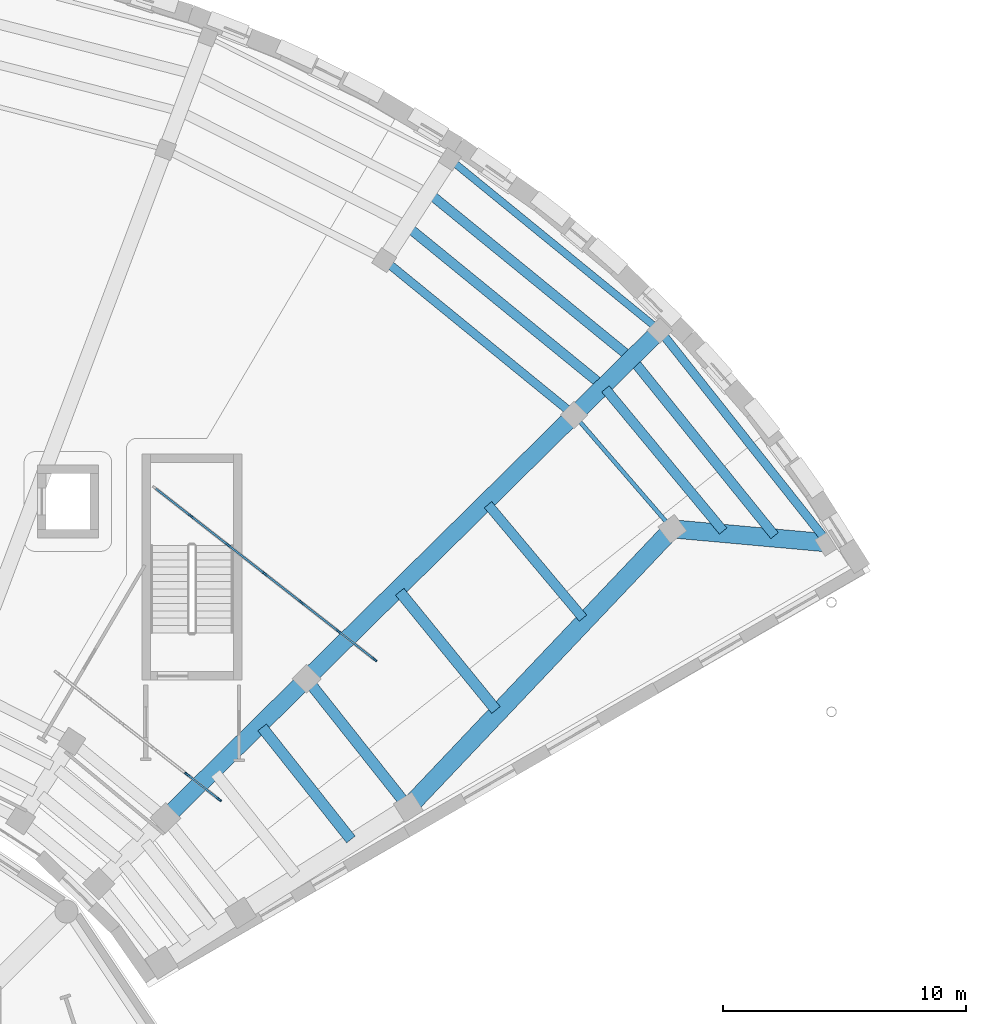
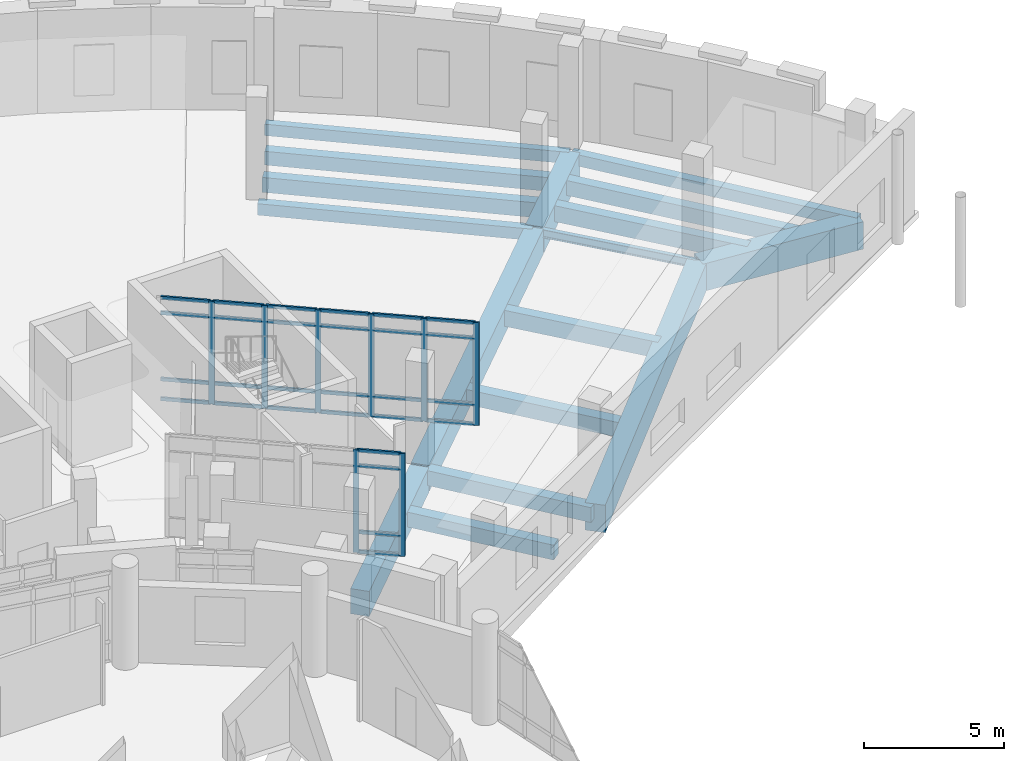
# One storey, part 35 of 89: 36 members, 17 beams, 2 elements without a shape of their own.
"""IFC4 building model written with IfcOpenShell, lengths in metres."""

from ifc_helpers import new_model, si_unit, direction, frame, origin, origin_2d, place, context, subcontext, project, spatial, rectangle, i_section, extrude, material, material_profile, profile_set, type_object, element, aggregate, save


model = new_model("IFC4")

# Units and contexts
model_context = context("Model", 3, precision=1e-05, world=origin(), true_north=direction((0.0, 1.0)))
body_context = subcontext(model_context, "Body", "Model", "MODEL_VIEW")
ifc_project = project(units=[si_unit("LENGTHUNIT", "METRE"), si_unit("AREAUNIT", "SQUARE_METRE"), si_unit("VOLUMEUNIT", "CUBIC_METRE"), si_unit("PLANEANGLEUNIT", "RADIAN"), si_unit("MASSUNIT", "GRAM", prefix="KILO")], contexts=[model_context])

# Site, building, storey
site_placement = place(None, origin())
site = spatial("IfcSite", under=ifc_project, at=site_placement, CompositionType="ELEMENT")
building_placement = place(site_placement, origin())
building = spatial("IfcBuilding", under=site, at=building_placement, Name="Soyqirgoq Riverine Aquarium", CompositionType="ELEMENT")
storey_placement = place(building_placement, frame((0.0, 0.0, 5.39990234375)))
storey = spatial("IfcBuildingStorey", under=building, at=storey_placement, Name="L02", CompositionType="ELEMENT", Elevation=5.39990234375)

# Beams
ifc_material_1 = material(Name="Concrete C40/50", Category="concrete")
ifc_material_profile_1 = material_profile(ifc_material_1, rectangle(XDim=0.39990234375, YDim=0.60009765625, at=origin_2d()), Name="RC 400x600")
ifc_profile_set_1 = profile_set([ifc_material_profile_1], Name="Concrete C40/50")
beam_type_1 = type_object("IfcBeamType", Name="Beam_RC_400x600", PredefinedType="JOIST", material=ifc_profile_set_1)
beam_1_placement = place(storey_placement, frame((91.468994140625, 92.172607421875, -0.599853515625), z_axis=(-0.774945538771, 0.632028015153, 0.0), x_axis=(-0.632028015153, -0.774945538771, 0.0)))
element("IfcBeam", 1, at=beam_1_placement, inside=storey, type_object=beam_type_1, Name="V5 L02 Secondary Floor Joist 0841", PredefinedType="JOIST", context=body_context, shape_type="SweptSolid", body=[
    extrude(rectangle(XDim=0.39990234375, YDim=0.60009765625, at=origin_2d()), origin(), (0.0, 0.0, 1.0), 10.5126953125),
])
ifc_material_2 = material(Name="Concrete C40/50", Category="concrete")
ifc_material_profile_2 = material_profile(ifc_material_2, rectangle(XDim=0.39990234375, YDim=0.64990234375, at=origin_2d()), Name="RC 400x650")
ifc_profile_set_2 = profile_set([ifc_material_profile_2], Name="Concrete C40/50")
beam_type_2 = type_object("IfcBeamType", Name="Beam_RC_400x650", PredefinedType="BEAM", material=ifc_profile_set_2)
beam_2_placement = place(storey_placement, frame((97.461181640625, 84.796142578125, -0.625), z_axis=(-0.628173876328, 0.778072992141, 0.0), x_axis=(-0.778072992141, -0.628173876328, 0.0)))
element("IfcBeam", 2, at=beam_2_placement, inside=storey, type_object=beam_type_2, Name="V5 L02 Secondary Floor Joist 0839", PredefinedType="BEAM", context=body_context, shape_type="SweptSolid", body=[
    extrude(rectangle(XDim=0.39990234375, YDim=0.64990234375, at=origin_2d()), origin(), (0.0, 0.0, 1.0), 9.2265625),
])
beam_3_placement = place(storey_placement, frame((90.305908203125, 91.025634765625, -0.625), z_axis=(-0.774940282325, 0.63203446016, 0.0), x_axis=(-0.63203446016, -0.774940282325, 0.0)))
element("IfcBeam", 3, at=beam_3_placement, inside=storey, type_object=beam_type_2, Name="V5 L02 Secondary Floor Joist 0840", PredefinedType="BEAM", context=body_context, shape_type="SweptSolid", body=[
    extrude(rectangle(XDim=0.39990234375, YDim=0.64990234375, at=origin_2d()), origin(), (0.0, 0.0, 1.0), 10.159912109375),
])
ifc_material_3 = material(Name="Concrete C40/50", Category="concrete")
ifc_material_profile_3 = material_profile(ifc_material_3, rectangle(XDim=0.39990234375, YDim=0.699951171875, at=origin_2d()), Name="RC 400x700")
ifc_profile_set_3 = profile_set([ifc_material_profile_3], Name="Concrete C40/50")
beam_type_3 = type_object("IfcBeamType", Name="Beam_RC_400x700", PredefinedType="BEAM", material=ifc_profile_set_3)
beam_4_placement = place(storey_placement, frame((89.584228515625, 81.40380859375, -0.64990234375), z_axis=(-0.642269554069, 0.766478845055, 0.0), x_axis=(-0.766478845055, -0.642269554069, 0.0)))
element("IfcBeam", 4, at=beam_4_placement, inside=storey, type_object=beam_type_3, Name="V5 L02 Secondary Floor Joist 0833", PredefinedType="BEAM", context=body_context, shape_type="SweptSolid", body=[
    extrude(rectangle(XDim=0.39990234375, YDim=0.699951171875, at=origin_2d()), origin(), (0.0, 0.0, 1.0), 6.08544921875),
])
beam_5_placement = place(storey_placement, frame((95.345458984375, 84.98583984375, -0.64990234375), z_axis=(-0.638020589805, 0.770019302995, 0.0), x_axis=(-0.770019302995, -0.638020589805, 0.0)))
element("IfcBeam", 5, at=beam_5_placement, inside=storey, type_object=beam_type_3, Name="V5 L02 Secondary Floor Joist 0838", PredefinedType="BEAM", context=body_context, shape_type="SweptSolid", body=[
    extrude(rectangle(XDim=0.39990234375, YDim=0.699951171875, at=origin_2d()), origin(), (0.0, 0.0, 1.0), 7.5888671875),
])
ifc_material_4 = material(Name="Concrete C40/50", Category="concrete")
ifc_material_profile_4 = material_profile(ifc_material_4, rectangle(XDim=0.449951171875, YDim=0.64990234375, at=origin_2d()), Name="RC 450x650")
ifc_profile_set_4 = profile_set([ifc_material_profile_4], Name="Concrete C40/50")
beam_type_4 = type_object("IfcBeamType", Name="Beam_RC_450x650", PredefinedType="BEAM", material=ifc_profile_set_4)
beam_6_placement = place(storey_placement, frame((80.038330078125, 72.30224609375, -0.625), z_axis=(-0.621137956327, 0.783701243593, 0.0), x_axis=(-0.783701243593, -0.621137956327, 0.0)))
element("IfcBeam", 6, at=beam_6_placement, inside=storey, type_object=beam_type_4, Name="V5 L02 Secondary Floor Joist 0830", PredefinedType="BEAM", context=body_context, shape_type="SweptSolid", body=[
    extrude(rectangle(XDim=0.449951171875, YDim=0.64990234375, at=origin_2d()), origin(), (0.0, 0.0, 1.0), 5.878173828125),
])
beam_7_placement = place(storey_placement, frame((82.3701171875, 73.664794921875, -0.625), z_axis=(-0.621132353324, 0.783705684332, 0.0), x_axis=(-0.783705684332, -0.621132353324, 0.0)))
element("IfcBeam", 7, at=beam_7_placement, inside=storey, type_object=beam_type_4, Name="V5 L02 Wedge Chord Beam 0831", PredefinedType="BEAM", context=body_context, shape_type="SweptSolid", body=[
    extrude(rectangle(XDim=0.449951171875, YDim=0.64990234375, at=origin_2d()), origin(), (0.0, 0.0, 1.0), 6.63916015625),
])
beam_8_placement = place(storey_placement, frame((86.00341796875, 77.626953125, -0.625), z_axis=(-0.631614001709, 0.775283014676, 0.0), x_axis=(-0.775283014676, -0.631614001709, 0.0)))
element("IfcBeam", 8, at=beam_8_placement, inside=storey, type_object=beam_type_4, Name="V5 L02 Secondary Floor Joist 0832", PredefinedType="BEAM", context=body_context, shape_type="SweptSolid", body=[
    extrude(rectangle(XDim=0.449951171875, YDim=0.64990234375, at=origin_2d()), origin(), (0.0, 0.0, 1.0), 6.268798828125),
])

# Curtain wall, members
ifc_material_5 = material(Name="Cast polymethyl methacrylate PMMA Habitat Viewing Glazing", Category="glass")
curtain_wall_type = type_object("IfcCurtainWallType", Name="CW_Interior_TankVitrine", PredefinedType="NOTDEFINED", material=ifc_material_5)
curtain_wall_1_placement = place(storey_placement, origin())
curtain_wall_1 = element("IfcCurtainWall", 9, at=curtain_wall_1_placement, inside=storey, type_object=curtain_wall_type, Name="V5 L02 Curtain Wall 159", PredefinedType="NOTDEFINED")
ifc_material_6 = material(Name="Anodised aluminium 6063-T6", Category="aluminium")
ifc_material_profile_5 = material_profile(ifc_material_6, rectangle(XDim=0.080078125, YDim=0.219970703125, at=origin_2d()), Name="ALU-M 80x220")
ifc_profile_set_5 = profile_set([ifc_material_profile_5], Name="Anodised aluminium 6063-T6")
member_type_1 = type_object("IfcMemberType", Name="CWMullion_80x220", PredefinedType="MULLION", material=ifc_profile_set_5)
member_1_placement = place(storey_placement, frame((74.616943359375, 73.9482421875, 0.0), z_axis=(0.0, 0.0, 1.0), x_axis=(-0.615661060826, -0.788011077449, 0.0)))
member_1 = element("IfcMember", 10, at=member_1_placement, type_object=member_type_1, Name="CW-07 mullion 1", PredefinedType="MULLION", context=body_context, shape_type="SweptSolid", body=[
    extrude(rectangle(XDim=0.080078125, YDim=0.219970703125, at=origin_2d()), origin(), (0.0, 0.0, 1.0), 4.5),
])
member_2_placement = place(storey_placement, frame((73.300537109375, 74.976806640625, 0.0), z_axis=(0.0, 0.0, 1.0), x_axis=(-0.615661060826, -0.788011077449, 0.0)))
member_2 = element("IfcMember", 11, at=member_2_placement, type_object=member_type_1, Name="CW-07 mullion 2", PredefinedType="MULLION", context=body_context, shape_type="SweptSolid", body=[
    extrude(rectangle(XDim=0.080078125, YDim=0.219970703125, at=origin_2d()), origin(), (0.0, 0.0, 1.0), 4.5),
])

curtain_wall_2_placement = place(storey_placement, origin())
curtain_wall_2 = element("IfcCurtainWall", 12, at=curtain_wall_2_placement, inside=storey, type_object=curtain_wall_type, Name="V5 L02 Curtain Wall 160", PredefinedType="NOTDEFINED")
member_3_placement = place(storey_placement, frame((81.008056640625, 79.702880859375, 0.0), z_axis=(0.0, 0.0, 1.0), x_axis=(-0.615655141832, -0.788015701833, 0.0)))
member_3 = element("IfcMember", 13, at=member_3_placement, type_object=member_type_1, Name="CW-07 mullion 1", PredefinedType="MULLION", context=body_context, shape_type="SweptSolid", body=[
    extrude(rectangle(XDim=0.080078125, YDim=0.219970703125, at=origin_2d()), origin(), (0.0, 0.0, 1.0), 4.5),
])
member_4_placement = place(storey_placement, frame((79.524169921875, 80.862060546875, 0.0), z_axis=(0.0, 0.0, 1.0), x_axis=(-0.615655141832, -0.788015701833, 0.0)))
member_4 = element("IfcMember", 14, at=member_4_placement, type_object=member_type_1, Name="CW-07 mullion 2", PredefinedType="MULLION", context=body_context, shape_type="SweptSolid", body=[
    extrude(rectangle(XDim=0.080078125, YDim=0.219970703125, at=origin_2d()), origin(), (0.0, 0.0, 1.0), 4.5),
])
member_5_placement = place(storey_placement, frame((78.008544921875, 82.046142578125, 0.0), z_axis=(0.0, 0.0, 1.0), x_axis=(-0.615655141832, -0.788015701833, 0.0)))
member_5 = element("IfcMember", 15, at=member_5_placement, type_object=member_type_1, Name="CW-07 mullion 3", PredefinedType="MULLION", context=body_context, shape_type="SweptSolid", body=[
    extrude(rectangle(XDim=0.080078125, YDim=0.219970703125, at=origin_2d()), origin(), (0.0, 0.0, 1.0), 4.5),
])
member_6_placement = place(storey_placement, frame((76.4931640625, 83.22998046875, 0.0), z_axis=(0.0, 0.0, 1.0), x_axis=(-0.615655141832, -0.788015701833, 0.0)))
member_6 = element("IfcMember", 16, at=member_6_placement, type_object=member_type_1, Name="CW-07 mullion 4", PredefinedType="MULLION", context=body_context, shape_type="SweptSolid", body=[
    extrude(rectangle(XDim=0.080078125, YDim=0.219970703125, at=origin_2d()), origin(), (0.0, 0.0, 1.0), 4.5),
])
member_7_placement = place(storey_placement, frame((74.977783203125, 84.4140625, 0.0), z_axis=(0.0, 0.0, 1.0), x_axis=(-0.615655141832, -0.788015701833, 0.0)))
member_7 = element("IfcMember", 17, at=member_7_placement, type_object=member_type_1, Name="CW-07 mullion 5", PredefinedType="MULLION", context=body_context, shape_type="SweptSolid", body=[
    extrude(rectangle(XDim=0.080078125, YDim=0.219970703125, at=origin_2d()), origin(), (0.0, 0.0, 1.0), 4.5),
])
member_8_placement = place(storey_placement, frame((73.46240234375, 85.59814453125, 0.0), z_axis=(0.0, 0.0, 1.0), x_axis=(-0.615655141832, -0.788015701833, 0.0)))
member_8 = element("IfcMember", 18, at=member_8_placement, type_object=member_type_1, Name="CW-07 mullion 6", PredefinedType="MULLION", context=body_context, shape_type="SweptSolid", body=[
    extrude(rectangle(XDim=0.080078125, YDim=0.219970703125, at=origin_2d()), origin(), (0.0, 0.0, 1.0), 4.5),
])

# Member
ifc_material_7 = material(Name="Anodised aluminium 6063-T6", Category="aluminium")
ifc_material_profile_6 = material_profile(ifc_material_7, rectangle(XDim=0.074951171875, YDim=0.14990234375, at=origin_2d()), Name="ALU-T 75x150")
ifc_profile_set_6 = profile_set([ifc_material_profile_6], Name="Anodised aluminium 6063-T6")
member_type_2 = type_object("IfcMemberType", Name="CWTransom_75x150", PredefinedType="USERDEFINED", material=ifc_profile_set_6)
member_9_placement = place(storey_placement, frame((74.58544921875, 73.972900390625, 0.03759765625), z_axis=(-0.788019719657, 0.615649999132, 0.0), x_axis=(-0.615649999132, -0.788019719657, 0.0)))
member_9 = element("IfcMember", 19, at=member_9_placement, type_object=member_type_2, Name="CW-07 transom 1.1", ObjectType="TRANSOM", PredefinedType="USERDEFINED", context=body_context, shape_type="SweptSolid", body=[
    extrude(rectangle(XDim=0.074951171875, YDim=0.14990234375, at=origin_2d()), origin(), (0.0, 0.0, 1.0), 1.590576171875),
])

member_10_placement = place(storey_placement, frame((74.58544921875, 73.972900390625, 0.900146484375), z_axis=(-0.788019719657, 0.615649999132, 0.0), x_axis=(-0.615649999132, -0.788019719657, 0.0)))
member_10 = element("IfcMember", 20, at=member_10_placement, type_object=member_type_2, Name="CW-07 transom 1.2", ObjectType="TRANSOM", PredefinedType="USERDEFINED", context=body_context, shape_type="SweptSolid", body=[
    extrude(rectangle(XDim=0.074951171875, YDim=0.14990234375, at=origin_2d()), origin(), (0.0, 0.0, 1.0), 1.590576171875),
])

member_11_placement = place(storey_placement, frame((74.58544921875, 73.972900390625, 3.800048828125), z_axis=(-0.788019719657, 0.615649999132, 0.0), x_axis=(-0.615649999132, -0.788019719657, 0.0)))
member_11 = element("IfcMember", 21, at=member_11_placement, type_object=member_type_2, Name="CW-07 transom 1.3", ObjectType="TRANSOM", PredefinedType="USERDEFINED", context=body_context, shape_type="SweptSolid", body=[
    extrude(rectangle(XDim=0.074951171875, YDim=0.14990234375, at=origin_2d()), origin(), (0.0, 0.0, 1.0), 1.590576171875),
])

member_12_placement = place(storey_placement, frame((74.58544921875, 73.972900390625, 4.462646484375), z_axis=(-0.788019719657, 0.615649999132, 0.0), x_axis=(-0.615649999132, -0.788019719657, 0.0)))
member_12 = element("IfcMember", 22, at=member_12_placement, type_object=member_type_2, Name="CW-07 transom 1.4", ObjectType="TRANSOM", PredefinedType="USERDEFINED", context=body_context, shape_type="SweptSolid", body=[
    extrude(rectangle(XDim=0.074951171875, YDim=0.14990234375, at=origin_2d()), origin(), (0.0, 0.0, 1.0), 1.590576171875),
])

aggregate(curtain_wall_1, [member_1, member_2, member_9, member_10, member_11, member_12])

member_13_placement = place(storey_placement, frame((80.9765625, 79.7275390625, 0.03759765625), z_axis=(-0.788016162741, 0.615654551887, 0.0), x_axis=(-0.615654551887, -0.788016162741, 0.0)))
member_13 = element("IfcMember", 23, at=member_13_placement, type_object=member_type_2, Name="CW-07 transom 1.1", ObjectType="TRANSOM", PredefinedType="USERDEFINED", context=body_context, shape_type="SweptSolid", body=[
    extrude(rectangle(XDim=0.074951171875, YDim=0.14990234375, at=origin_2d()), origin(), (0.0, 0.0, 1.0), 1.80322265625),
])

member_14_placement = place(storey_placement, frame((80.9765625, 79.7275390625, 0.900146484375), z_axis=(-0.788016162741, 0.615654551887, 0.0), x_axis=(-0.615654551887, -0.788016162741, 0.0)))
member_14 = element("IfcMember", 24, at=member_14_placement, type_object=member_type_2, Name="CW-07 transom 1.2", ObjectType="TRANSOM", PredefinedType="USERDEFINED", context=body_context, shape_type="SweptSolid", body=[
    extrude(rectangle(XDim=0.074951171875, YDim=0.14990234375, at=origin_2d()), origin(), (0.0, 0.0, 1.0), 1.80322265625),
])

member_15_placement = place(storey_placement, frame((80.9765625, 79.7275390625, 3.800048828125), z_axis=(-0.788016162741, 0.615654551887, 0.0), x_axis=(-0.615654551887, -0.788016162741, 0.0)))
member_15 = element("IfcMember", 25, at=member_15_placement, type_object=member_type_2, Name="CW-07 transom 1.3", ObjectType="TRANSOM", PredefinedType="USERDEFINED", context=body_context, shape_type="SweptSolid", body=[
    extrude(rectangle(XDim=0.074951171875, YDim=0.14990234375, at=origin_2d()), origin(), (0.0, 0.0, 1.0), 1.80322265625),
])

member_16_placement = place(storey_placement, frame((80.9765625, 79.7275390625, 4.462646484375), z_axis=(-0.788016162741, 0.615654551887, 0.0), x_axis=(-0.615654551887, -0.788016162741, 0.0)))
member_16 = element("IfcMember", 26, at=member_16_placement, type_object=member_type_2, Name="CW-07 transom 1.4", ObjectType="TRANSOM", PredefinedType="USERDEFINED", context=body_context, shape_type="SweptSolid", body=[
    extrude(rectangle(XDim=0.074951171875, YDim=0.14990234375, at=origin_2d()), origin(), (0.0, 0.0, 1.0), 1.80322265625),
])

member_17_placement = place(storey_placement, frame((79.492431640625, 80.88671875, 0.03759765625), z_axis=(-0.788002283226, 0.615672316765, 0.0), x_axis=(-0.615672316765, -0.788002283226, 0.0)))
member_17 = element("IfcMember", 27, at=member_17_placement, type_object=member_type_2, Name="CW-07 transom 2.1", ObjectType="TRANSOM", PredefinedType="USERDEFINED", context=body_context, shape_type="SweptSolid", body=[
    extrude(rectangle(XDim=0.074951171875, YDim=0.14990234375, at=origin_2d()), origin(), (0.0, 0.0, 1.0), 1.843017578125),
])

member_18_placement = place(storey_placement, frame((79.492431640625, 80.88671875, 0.900146484375), z_axis=(-0.788002283226, 0.615672316765, 0.0), x_axis=(-0.615672316765, -0.788002283226, 0.0)))
member_18 = element("IfcMember", 28, at=member_18_placement, type_object=member_type_2, Name="CW-07 transom 2.2", ObjectType="TRANSOM", PredefinedType="USERDEFINED", context=body_context, shape_type="SweptSolid", body=[
    extrude(rectangle(XDim=0.074951171875, YDim=0.14990234375, at=origin_2d()), origin(), (0.0, 0.0, 1.0), 1.843017578125),
])

member_19_placement = place(storey_placement, frame((79.492431640625, 80.88671875, 3.800048828125), z_axis=(-0.788002283226, 0.615672316765, 0.0), x_axis=(-0.615672316765, -0.788002283226, 0.0)))
member_19 = element("IfcMember", 29, at=member_19_placement, type_object=member_type_2, Name="CW-07 transom 2.3", ObjectType="TRANSOM", PredefinedType="USERDEFINED", context=body_context, shape_type="SweptSolid", body=[
    extrude(rectangle(XDim=0.074951171875, YDim=0.14990234375, at=origin_2d()), origin(), (0.0, 0.0, 1.0), 1.843017578125),
])

member_20_placement = place(storey_placement, frame((79.492431640625, 80.88671875, 4.462646484375), z_axis=(-0.788002283226, 0.615672316765, 0.0), x_axis=(-0.615672316765, -0.788002283226, 0.0)))
member_20 = element("IfcMember", 30, at=member_20_placement, type_object=member_type_2, Name="CW-07 transom 2.4", ObjectType="TRANSOM", PredefinedType="USERDEFINED", context=body_context, shape_type="SweptSolid", body=[
    extrude(rectangle(XDim=0.074951171875, YDim=0.14990234375, at=origin_2d()), origin(), (0.0, 0.0, 1.0), 1.843017578125),
])

member_21_placement = place(storey_placement, frame((77.97705078125, 82.07080078125, 0.03759765625), z_axis=(-0.788002283226, 0.615672316765, 0.0), x_axis=(-0.615672316765, -0.788002283226, 0.0)))
member_21 = element("IfcMember", 31, at=member_21_placement, type_object=member_type_2, Name="CW-07 transom 3.1", ObjectType="TRANSOM", PredefinedType="USERDEFINED", context=body_context, shape_type="SweptSolid", body=[
    extrude(rectangle(XDim=0.074951171875, YDim=0.14990234375, at=origin_2d()), origin(), (0.0, 0.0, 1.0), 1.843017578125),
])

member_22_placement = place(storey_placement, frame((77.97705078125, 82.07080078125, 0.900146484375), z_axis=(-0.788002283226, 0.615672316765, 0.0), x_axis=(-0.615672316765, -0.788002283226, 0.0)))
member_22 = element("IfcMember", 32, at=member_22_placement, type_object=member_type_2, Name="CW-07 transom 3.2", ObjectType="TRANSOM", PredefinedType="USERDEFINED", context=body_context, shape_type="SweptSolid", body=[
    extrude(rectangle(XDim=0.074951171875, YDim=0.14990234375, at=origin_2d()), origin(), (0.0, 0.0, 1.0), 1.843017578125),
])

member_23_placement = place(storey_placement, frame((77.97705078125, 82.07080078125, 3.800048828125), z_axis=(-0.788002283226, 0.615672316765, 0.0), x_axis=(-0.615672316765, -0.788002283226, 0.0)))
member_23 = element("IfcMember", 33, at=member_23_placement, type_object=member_type_2, Name="CW-07 transom 3.3", ObjectType="TRANSOM", PredefinedType="USERDEFINED", context=body_context, shape_type="SweptSolid", body=[
    extrude(rectangle(XDim=0.074951171875, YDim=0.14990234375, at=origin_2d()), origin(), (0.0, 0.0, 1.0), 1.843017578125),
])

member_24_placement = place(storey_placement, frame((77.97705078125, 82.07080078125, 4.462646484375), z_axis=(-0.788002283226, 0.615672316765, 0.0), x_axis=(-0.615672316765, -0.788002283226, 0.0)))
member_24 = element("IfcMember", 34, at=member_24_placement, type_object=member_type_2, Name="CW-07 transom 3.4", ObjectType="TRANSOM", PredefinedType="USERDEFINED", context=body_context, shape_type="SweptSolid", body=[
    extrude(rectangle(XDim=0.074951171875, YDim=0.14990234375, at=origin_2d()), origin(), (0.0, 0.0, 1.0), 1.843017578125),
])

member_25_placement = place(storey_placement, frame((76.461669921875, 83.254638671875, 0.03759765625), z_axis=(-0.788002283226, 0.615672316765, 0.0), x_axis=(-0.615672316765, -0.788002283226, 0.0)))
member_25 = element("IfcMember", 35, at=member_25_placement, type_object=member_type_2, Name="CW-07 transom 4.1", ObjectType="TRANSOM", PredefinedType="USERDEFINED", context=body_context, shape_type="SweptSolid", body=[
    extrude(rectangle(XDim=0.074951171875, YDim=0.14990234375, at=origin_2d()), origin(), (0.0, 0.0, 1.0), 1.843017578125),
])

member_26_placement = place(storey_placement, frame((76.461669921875, 83.254638671875, 0.900146484375), z_axis=(-0.788002283226, 0.615672316765, 0.0), x_axis=(-0.615672316765, -0.788002283226, 0.0)))
member_26 = element("IfcMember", 36, at=member_26_placement, type_object=member_type_2, Name="CW-07 transom 4.2", ObjectType="TRANSOM", PredefinedType="USERDEFINED", context=body_context, shape_type="SweptSolid", body=[
    extrude(rectangle(XDim=0.074951171875, YDim=0.14990234375, at=origin_2d()), origin(), (0.0, 0.0, 1.0), 1.843017578125),
])

member_27_placement = place(storey_placement, frame((76.461669921875, 83.254638671875, 3.800048828125), z_axis=(-0.788002283226, 0.615672316765, 0.0), x_axis=(-0.615672316765, -0.788002283226, 0.0)))
member_27 = element("IfcMember", 37, at=member_27_placement, type_object=member_type_2, Name="CW-07 transom 4.3", ObjectType="TRANSOM", PredefinedType="USERDEFINED", context=body_context, shape_type="SweptSolid", body=[
    extrude(rectangle(XDim=0.074951171875, YDim=0.14990234375, at=origin_2d()), origin(), (0.0, 0.0, 1.0), 1.843017578125),
])

member_28_placement = place(storey_placement, frame((76.461669921875, 83.254638671875, 4.462646484375), z_axis=(-0.788002283226, 0.615672316765, 0.0), x_axis=(-0.615672316765, -0.788002283226, 0.0)))
member_28 = element("IfcMember", 38, at=member_28_placement, type_object=member_type_2, Name="CW-07 transom 4.4", ObjectType="TRANSOM", PredefinedType="USERDEFINED", context=body_context, shape_type="SweptSolid", body=[
    extrude(rectangle(XDim=0.074951171875, YDim=0.14990234375, at=origin_2d()), origin(), (0.0, 0.0, 1.0), 1.843017578125),
])

member_29_placement = place(storey_placement, frame((74.9462890625, 84.438720703125, 0.03759765625), z_axis=(-0.788002283226, 0.615672316765, 0.0), x_axis=(-0.615672316765, -0.788002283226, 0.0)))
member_29 = element("IfcMember", 39, at=member_29_placement, type_object=member_type_2, Name="CW-07 transom 5.1", ObjectType="TRANSOM", PredefinedType="USERDEFINED", context=body_context, shape_type="SweptSolid", body=[
    extrude(rectangle(XDim=0.074951171875, YDim=0.14990234375, at=origin_2d()), origin(), (0.0, 0.0, 1.0), 1.843017578125),
])

member_30_placement = place(storey_placement, frame((74.9462890625, 84.438720703125, 0.900146484375), z_axis=(-0.788002283226, 0.615672316765, 0.0), x_axis=(-0.615672316765, -0.788002283226, 0.0)))
member_30 = element("IfcMember", 40, at=member_30_placement, type_object=member_type_2, Name="CW-07 transom 5.2", ObjectType="TRANSOM", PredefinedType="USERDEFINED", context=body_context, shape_type="SweptSolid", body=[
    extrude(rectangle(XDim=0.074951171875, YDim=0.14990234375, at=origin_2d()), origin(), (0.0, 0.0, 1.0), 1.843017578125),
])

member_31_placement = place(storey_placement, frame((74.9462890625, 84.438720703125, 3.800048828125), z_axis=(-0.788002283226, 0.615672316765, 0.0), x_axis=(-0.615672316765, -0.788002283226, 0.0)))
member_31 = element("IfcMember", 41, at=member_31_placement, type_object=member_type_2, Name="CW-07 transom 5.3", ObjectType="TRANSOM", PredefinedType="USERDEFINED", context=body_context, shape_type="SweptSolid", body=[
    extrude(rectangle(XDim=0.074951171875, YDim=0.14990234375, at=origin_2d()), origin(), (0.0, 0.0, 1.0), 1.843017578125),
])

member_32_placement = place(storey_placement, frame((74.9462890625, 84.438720703125, 4.462646484375), z_axis=(-0.788002283226, 0.615672316765, 0.0), x_axis=(-0.615672316765, -0.788002283226, 0.0)))
member_32 = element("IfcMember", 42, at=member_32_placement, type_object=member_type_2, Name="CW-07 transom 5.4", ObjectType="TRANSOM", PredefinedType="USERDEFINED", context=body_context, shape_type="SweptSolid", body=[
    extrude(rectangle(XDim=0.074951171875, YDim=0.14990234375, at=origin_2d()), origin(), (0.0, 0.0, 1.0), 1.843017578125),
])

member_33_placement = place(storey_placement, frame((73.430908203125, 85.62255859375, 0.03759765625), z_axis=(-0.788016162741, 0.615654551887, 0.0), x_axis=(-0.615654551887, -0.788016162741, 0.0)))
member_33 = element("IfcMember", 43, at=member_33_placement, type_object=member_type_2, Name="CW-07 transom 6.1", ObjectType="TRANSOM", PredefinedType="USERDEFINED", context=body_context, shape_type="SweptSolid", body=[
    extrude(rectangle(XDim=0.074951171875, YDim=0.14990234375, at=origin_2d()), origin(), (0.0, 0.0, 1.0), 1.80322265625),
])

member_34_placement = place(storey_placement, frame((73.430908203125, 85.62255859375, 0.900146484375), z_axis=(-0.788016162741, 0.615654551887, 0.0), x_axis=(-0.615654551887, -0.788016162741, 0.0)))
member_34 = element("IfcMember", 44, at=member_34_placement, type_object=member_type_2, Name="CW-07 transom 6.2", ObjectType="TRANSOM", PredefinedType="USERDEFINED", context=body_context, shape_type="SweptSolid", body=[
    extrude(rectangle(XDim=0.074951171875, YDim=0.14990234375, at=origin_2d()), origin(), (0.0, 0.0, 1.0), 1.80322265625),
])

member_35_placement = place(storey_placement, frame((73.430908203125, 85.62255859375, 3.800048828125), z_axis=(-0.788016162741, 0.615654551887, 0.0), x_axis=(-0.615654551887, -0.788016162741, 0.0)))
member_35 = element("IfcMember", 45, at=member_35_placement, type_object=member_type_2, Name="CW-07 transom 6.3", ObjectType="TRANSOM", PredefinedType="USERDEFINED", context=body_context, shape_type="SweptSolid", body=[
    extrude(rectangle(XDim=0.074951171875, YDim=0.14990234375, at=origin_2d()), origin(), (0.0, 0.0, 1.0), 1.80322265625),
])

member_36_placement = place(storey_placement, frame((73.430908203125, 85.62255859375, 4.462646484375), z_axis=(-0.788016162741, 0.615654551887, 0.0), x_axis=(-0.615654551887, -0.788016162741, 0.0)))
member_36 = element("IfcMember", 46, at=member_36_placement, type_object=member_type_2, Name="CW-07 transom 6.4", ObjectType="TRANSOM", PredefinedType="USERDEFINED", context=body_context, shape_type="SweptSolid", body=[
    extrude(rectangle(XDim=0.074951171875, YDim=0.14990234375, at=origin_2d()), origin(), (0.0, 0.0, 1.0), 1.80322265625),
])

aggregate(curtain_wall_2, [member_3, member_4, member_5, member_6, member_7, member_8, member_13, member_14, member_15, member_16, member_17, member_18, member_19, member_20, member_21, member_22, member_23, member_24, member_25, member_26, member_27, member_28, member_29, member_30, member_31, member_32, member_33, member_34, member_35, member_36])

# Beams
ifc_material_8 = material(Name="Concrete C40/50", Category="concrete")
ifc_material_profile_7 = material_profile(ifc_material_8, rectangle(XDim=0.699951171875, YDim=1.10009765625, at=origin_2d()), Name="RC 700x1100")
ifc_profile_set_7 = profile_set([ifc_material_profile_7], Name="Concrete C40/50")
beam_type_5 = type_object("IfcBeamType", Name="Girder_RC_700x1100", PredefinedType="BEAM", material=ifc_profile_set_7)
beam_9_placement = place(storey_placement, frame((72.44775390625, 73.2197265625, -0.849853515625), z_axis=(0.712032910535, 0.702146091861, 0.0), x_axis=(-0.702146091861, 0.712032910535, 0.0)))
element("IfcBeam", 47, at=beam_9_placement, inside=storey, type_object=beam_type_5, Name="V5 L02 Wedge Radial Girder 0803", PredefinedType="BEAM", context=body_context, shape_type="SweptSolid", body=[
    extrude(rectangle(XDim=0.699951171875, YDim=1.10009765625, at=origin_2d()), origin(), (0.0, 0.0, 1.0), 8.050048828125),
])
beam_10_placement = place(storey_placement, frame((78.250732421875, 78.9423828125, -0.849853515625), z_axis=(0.712035941115, 0.702143018595, 0.0), x_axis=(-0.702143018595, 0.712035941115, 0.0)))
element("IfcBeam", 48, at=beam_10_placement, inside=storey, type_object=beam_type_5, Name="V5 L02 Wedge Radial Girder 0804", PredefinedType="BEAM", context=body_context, shape_type="SweptSolid", body=[
    extrude(rectangle(XDim=0.699951171875, YDim=1.10009765625, at=origin_2d()), origin(), (0.0, 0.0, 1.0), 15.349853515625),
])
beam_11_placement = place(storey_placement, frame((89.251708984375, 89.79052734375, -0.849853515625), z_axis=(0.711997820569, 0.702181674145, 0.0), x_axis=(-0.702181674145, 0.711997820569, 0.0)))
element("IfcBeam", 49, at=beam_11_placement, inside=storey, type_object=beam_type_5, Name="V5 L02 Wedge Radial Girder 0805", PredefinedType="BEAM", context=body_context, shape_type="SweptSolid", body=[
    extrude(rectangle(XDim=0.699951171875, YDim=1.10009765625, at=origin_2d()), origin(), (0.0, 0.0, 1.0), 4.849853515625),
])
ifc_material_9 = material(Name="Concrete C40/50", Category="concrete")
ifc_material_profile_8 = material_profile(ifc_material_9, rectangle(XDim=0.75, YDim=1.199951171875, at=origin_2d()), Name="RC 750x1200")
ifc_profile_set_8 = profile_set([ifc_material_profile_8], Name="Concrete C40/50")
beam_type_6 = type_object("IfcBeamType", Name="Girder_RC_750x1200", PredefinedType="BEAM", material=ifc_profile_set_8)
beam_12_placement = place(storey_placement, frame((82.435546875, 73.662109375, -0.89990234375), z_axis=(0.688043937809, 0.725669028996, 0.0), x_axis=(-0.725669028996, 0.688043937809, 0.0)))
element("IfcBeam", 50, at=beam_12_placement, inside=storey, type_object=beam_type_6, Name="V5 L02 Wedge Radial Girder 0800", PredefinedType="BEAM", context=body_context, shape_type="SweptSolid", body=[
    extrude(rectangle(XDim=0.75, YDim=1.199951171875, at=origin_2d()), origin(), (0.0, 0.0, 1.0), 15.6767578125),
])
beam_13_placement = place(storey_placement, frame((93.30615234375, 85.0703125, -0.89990234375), z_axis=(0.99595114055, -0.089896193674, 0.0), x_axis=(0.089896193674, 0.99595114055, 0.0)))
element("IfcBeam", 51, at=beam_13_placement, inside=storey, type_object=beam_type_6, Name="V5 L02 Wedge Radial Girder 0801", PredefinedType="BEAM", context=body_context, shape_type="SweptSolid", body=[
    extrude(rectangle(XDim=0.75, YDim=1.199951171875, at=origin_2d()), origin(), (0.0, 0.0, 1.0), 6.333251953125),
])
ifc_material_10 = material(Name="Concrete C40/50", Category="concrete")
ifc_material_profile_9 = material_profile(ifc_material_10, rectangle(XDim=0.300048828125, YDim=0.5, at=origin_2d()), Name="RC 300x500")
ifc_profile_set_9 = profile_set([ifc_material_profile_9], Name="Concrete C40/50")
beam_type_7 = type_object("IfcBeamType", Name="Spandrel_RC_300x500", PredefinedType="SPANDREL", material=ifc_profile_set_9)
beam_14_placement = place(storey_placement, frame((92.701904296875, 93.2626953125, -0.5498046875), z_axis=(-0.774945071602, 0.63202858796, 0.0), x_axis=(-0.63202858796, -0.774945071602, 0.0)))
element("IfcBeam", 52, at=beam_14_placement, inside=storey, type_object=beam_type_7, Name="V5 L02 Wedge Chord Beam 0847", PredefinedType="SPANDREL", context=body_context, shape_type="SweptSolid", body=[
    extrude(rectangle(XDim=0.300048828125, YDim=0.5, at=origin_2d()), origin(), (0.0, 0.0, 1.0), 11.045654296875),
])
ifc_material_11 = material(Name="Concrete C40/50", Category="concrete")
ifc_material_profile_10 = material_profile(ifc_material_11, rectangle(XDim=0.35009765625, YDim=0.5, at=origin_2d()), Name="RC 350x500")
ifc_profile_set_10 = profile_set([ifc_material_profile_10], Name="Concrete C40/50")
beam_type_8 = type_object("IfcBeamType", Name="Spandrel_RC_350x500", PredefinedType="SPANDREL", material=ifc_profile_set_10)
beam_15_placement = place(storey_placement, frame((89.17724609375, 89.787109375, -0.5498046875), z_axis=(-0.774956174889, 0.632014973716, 0.0), x_axis=(-0.632014973716, -0.774956174889, 0.0)))
element("IfcBeam", 53, at=beam_15_placement, inside=storey, type_object=beam_type_8, Name="V5 L02 Wedge Chord Beam 0835", PredefinedType="SPANDREL", context=body_context, shape_type="SweptSolid", body=[
    extrude(rectangle(XDim=0.35009765625, YDim=0.5, at=origin_2d()), origin(), (0.0, 0.0, 1.0), 9.976318359375),
])
beam_16_placement = place(storey_placement, frame((99.632568359375, 84.53564453125, -0.5498046875), z_axis=(-0.621160278582, 0.78368355113, 0.0), x_axis=(-0.78368355113, -0.621160278582, 0.0)))
element("IfcBeam", 54, at=beam_16_placement, inside=storey, type_object=beam_type_8, Name="V5 L02 Wedge Chord Beam 0846", PredefinedType="SPANDREL", context=body_context, shape_type="SweptSolid", body=[
    extrude(rectangle(XDim=0.35009765625, YDim=0.5, at=origin_2d()), origin(), (0.0, 0.0, 1.0), 11.045654296875),
])
ifc_material_12 = material(Name="Structural steel S355", Category="steel")
ifc_material_profile_11 = material_profile(ifc_material_12, i_section(OverallWidth=0.169921875, OverallDepth=0.360107421875, WebThickness=0.008056640625, FlangeThickness=0.0126953125, FilletRadius=0.01806640625, at=origin_2d()), Name="IPE 360")
ifc_profile_set_11 = profile_set([ifc_material_profile_11], Name="Structural steel S355")
beam_type_9 = type_object("IfcBeamType", Name="Spandrel_Steel_IPE360", PredefinedType="SPANDREL", material=ifc_profile_set_11)
beam_17_placement = place(storey_placement, frame((93.2236328125, 85.112548828125, -0.47998046875), z_axis=(-0.653415046346, 0.756999852846, 0.0), x_axis=(-0.756999852846, -0.653415046346, 0.0)))
element("IfcBeam", 55, at=beam_17_placement, inside=storey, type_object=beam_type_9, Name="V5 L02 Wedge Chord Beam 0834", PredefinedType="SPANDREL", context=body_context, shape_type="SweptSolid", body=[
    extrude(i_section(OverallWidth=0.169921875, OverallDepth=0.360107421875, WebThickness=0.008056640625, FlangeThickness=0.0126953125, FilletRadius=0.01806640625, at=origin_2d()), origin(), (0.0, 0.0, 1.0), 6.083251953125),
])

save(model, "model.ifc")
